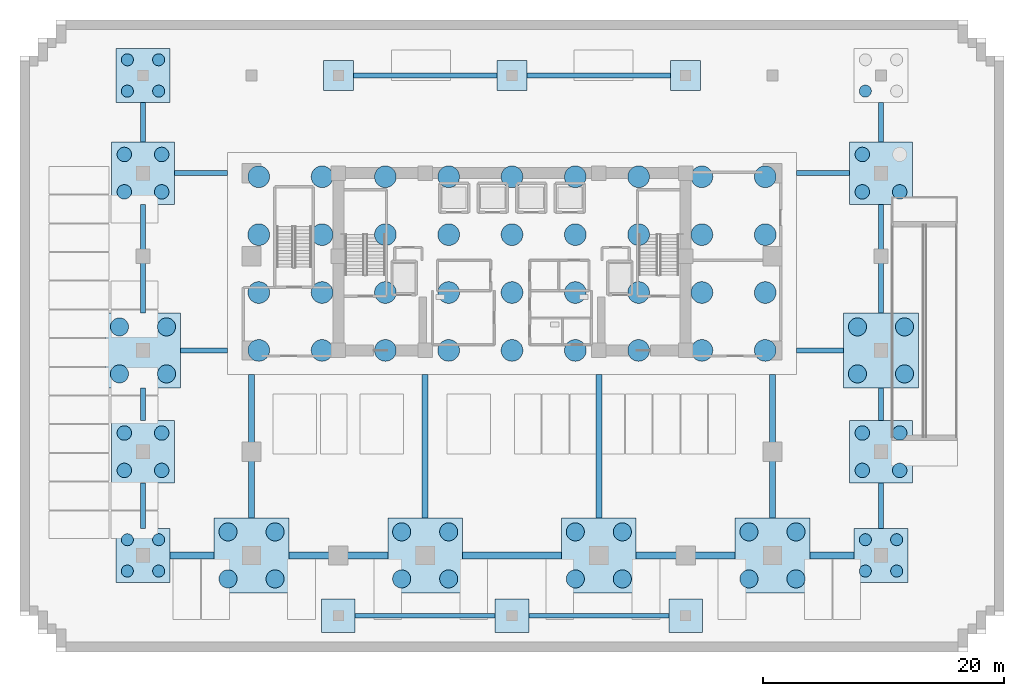
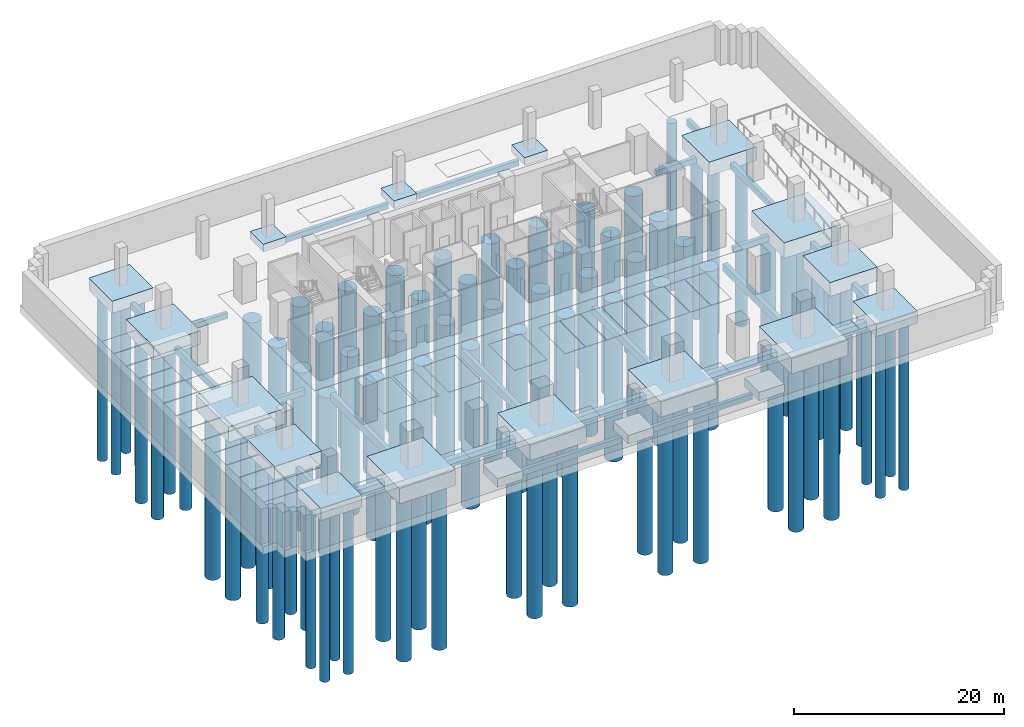
# One storey, part 1 of 13: 88 piles, 44 footings.
"""IFC4 building model written with IfcOpenShell, lengths in metres."""

from ifc_helpers import new_model, si_unit, direction, frame, origin, origin_2d, place, context, subcontext, project, spatial, rectangle, circle, extrude, source, transform, mapped, material, material_profile, profile_set, type_object, element, save


model = new_model("IFC4")

# Units and contexts
model_context = context("Model", 3, precision=1e-05, world=origin(), true_north=direction((0.0, 1.0)))
body_context = subcontext(model_context, "Body", "Model", "MODEL_VIEW")
ifc_project = project(units=[si_unit("LENGTHUNIT", "METRE"), si_unit("AREAUNIT", "SQUARE_METRE"), si_unit("VOLUMEUNIT", "CUBIC_METRE"), si_unit("PLANEANGLEUNIT", "RADIAN"), si_unit("MASSUNIT", "GRAM", prefix="KILO")], contexts=[model_context])

# Site, building, storey
site_placement = place(None, origin())
site = spatial("IfcSite", under=ifc_project, at=site_placement, CompositionType="ELEMENT")
building_placement = place(site_placement, origin())
building = spatial("IfcBuilding", under=site, at=building_placement, Name="Zarnakvel Exchange Tower", CompositionType="ELEMENT")
storey_placement = place(building_placement, frame((0.0, 0.0, -13.199951171875)))
storey = spatial("IfcBuildingStorey", under=building, at=storey_placement, Name="B03", CompositionType="ELEMENT", Elevation=-13.199951171875)

# Footings
ifc_material = material(Name="Concrete C50/60", Category="concrete")
ifc_material_profile_1 = material_profile(ifc_material, rectangle(XDim=0.60009765625, YDim=0.89990234375, at=origin_2d()))
ifc_profile_set_1 = profile_set([ifc_material_profile_1], Name="Concrete C50/60")
footing_type_1 = type_object("IfcFootingType", Name="GB-01", PredefinedType="FOOTING_BEAM", material=ifc_profile_set_1)
footing_1_placement = place(storey_placement, frame((-28.35009765625, -18.199951171875, -1.35009765625), z_axis=(1.0, 0.0, 0.0), x_axis=(0.0, 1.0, 0.0)))
element("IfcFooting", 1, at=footing_1_placement, inside=storey, type_object=footing_type_1, Name="B03 Continuous Ground Tie Beam GB-01 #1", PredefinedType="FOOTING_BEAM", context=body_context, shape_type="SweptSolid", body=[
    extrude(rectangle(XDim=0.60009765625, YDim=0.89990234375, at=origin_2d()), origin(), (0.0, 0.0, 1.0), 3.650146484375),
])
footing_2_placement = place(storey_placement, frame((-18.5, -18.199951171875, -1.35009765625), z_axis=(1.0, 0.0, 0.0), x_axis=(0.0, 1.0, 0.0)))
element("IfcFooting", 2, at=footing_2_placement, inside=storey, type_object=footing_type_1, Name="B03 Continuous Ground Tie Beam GB-01 #2", PredefinedType="FOOTING_BEAM", context=body_context, shape_type="SweptSolid", body=[
    extrude(rectangle(XDim=0.60009765625, YDim=0.89990234375, at=origin_2d()), origin(), (0.0, 0.0, 1.0), 8.199951171875),
])
footing_3_placement = place(storey_placement, frame((-4.10009765625, -18.199951171875, -1.35009765625), z_axis=(1.0, 0.0, 0.0), x_axis=(0.0, 1.0, 0.0)))
element("IfcFooting", 3, at=footing_3_placement, inside=storey, type_object=footing_type_1, Name="B03 Continuous Ground Tie Beam GB-01 #3", PredefinedType="FOOTING_BEAM", context=body_context, shape_type="SweptSolid", body=[
    extrude(rectangle(XDim=0.60009765625, YDim=0.89990234375, at=origin_2d()), origin(), (0.0, 0.0, 1.0), 8.2001953125),
])
footing_4_placement = place(storey_placement, frame((10.300048828125, -18.199951171875, -1.35009765625), z_axis=(1.0, 0.0, 0.0), x_axis=(0.0, 1.0, 0.0)))
element("IfcFooting", 4, at=footing_4_placement, inside=storey, type_object=footing_type_1, Name="B03 Continuous Ground Tie Beam GB-01 #4", PredefinedType="FOOTING_BEAM", context=body_context, shape_type="SweptSolid", body=[
    extrude(rectangle(XDim=0.60009765625, YDim=0.89990234375, at=origin_2d()), origin(), (0.0, 0.0, 1.0), 8.199951171875),
])
footing_5_placement = place(storey_placement, frame((24.699951171875, -18.199951171875, -1.35009765625), z_axis=(1.0, 0.0, 0.0), x_axis=(0.0, 1.0, 0.0)))
element("IfcFooting", 5, at=footing_5_placement, inside=storey, type_object=footing_type_1, Name="B03 Continuous Ground Tie Beam GB-01 #5", PredefinedType="FOOTING_BEAM", context=body_context, shape_type="SweptSolid", body=[
    extrude(rectangle(XDim=0.60009765625, YDim=0.89990234375, at=origin_2d()), origin(), (0.0, 0.0, 1.0), 3.650146484375),
])
ifc_material_profile_2 = material_profile(ifc_material, rectangle(XDim=0.5, YDim=0.85009765625, at=origin_2d()))
ifc_profile_set_2 = profile_set([ifc_material_profile_2], Name="Concrete C50/60")
footing_type_2 = type_object("IfcFootingType", Name="GB-02", PredefinedType="FOOTING_BEAM", material=ifc_profile_set_2)
for number, where, z_axis, x_axis, name in (
    (6, (-21.60009765625, -15.10009765625, -1.324951171875), (0.0, 1.0, 0.0), (-1.0, 0.0, 0.0), "B03 Continuous Ground Tie Beam GB-02 #6"),
    (7, (-7.199951171875, -15.10009765625, -1.324951171875), (0.0, 1.0, 0.0), (-1.0, 0.0, 0.0), "B03 Continuous Ground Tie Beam GB-02 #7"),
    (8, (7.199951171875, -15.10009765625, -1.324951171875), (0.0, 1.0, 0.0), (-1.0, 0.0, 0.0), "B03 Continuous Ground Tie Beam GB-02 #8"),
    (9, (21.60009765625, -15.10009765625, -1.324951171875), (0.0, 1.0, 0.0), (-1.0, 0.0, 0.0), "B03 Continuous Ground Tie Beam GB-02 #9"),
):
    element("IfcFooting", number, at=place(storey_placement, frame(where, z_axis=z_axis, x_axis=x_axis)), inside=storey, type_object=footing_type_2, Name=name, PredefinedType="FOOTING_BEAM", context=body_context, shape_type="SweptSolid", body=[
        extrude(rectangle(XDim=0.5, YDim=0.85009765625, at=origin_2d()), origin(), (0.0, 0.0, 1.0), 11.900146484375),
    ])
ifc_material_profile_3 = material_profile(ifc_material, rectangle(XDim=0.449951171875, YDim=0.75, at=origin_2d()))
ifc_profile_set_3 = profile_set([ifc_material_profile_3], Name="Concrete C50/60")
footing_type_3 = type_object("IfcFootingType", Name="GB-03", PredefinedType="FOOTING_BEAM", material=ifc_profile_set_3)
footing_6_placement = place(storey_placement, frame((-30.60009765625, -15.949951171875, -1.275146484375), z_axis=(0.0, 1.0, 0.0), x_axis=(-1.0, 0.0, 0.0)))
element("IfcFooting", 10, at=footing_6_placement, inside=storey, type_object=footing_type_3, Name="B03 Continuous Ground Tie Beam GB-03 #10", PredefinedType="FOOTING_BEAM", context=body_context, shape_type="SweptSolid", body=[
    extrude(rectangle(XDim=0.449951171875, YDim=0.75, at=origin_2d()), origin(), (0.0, 0.0, 1.0), 3.75),
])
footing_7_placement = place(storey_placement, frame((-30.60009765625, -7.0, -1.275146484375), z_axis=(0.0, 1.0, 0.0), x_axis=(-1.0, 0.0, 0.0)))
element("IfcFooting", 11, at=footing_7_placement, inside=storey, type_object=footing_type_3, Name="B03 Continuous Ground Tie Beam GB-03 #11", PredefinedType="FOOTING_BEAM", context=body_context, shape_type="SweptSolid", body=[
    extrude(rectangle(XDim=0.449951171875, YDim=0.75, at=origin_2d()), origin(), (0.0, 0.0, 1.0), 2.699951171875),
])
footing_8_placement = place(storey_placement, frame((-30.60009765625, 1.89990234375, -1.275146484375), z_axis=(0.0, 1.0, 0.0), x_axis=(-1.0, 0.0, 0.0)))
element("IfcFooting", 12, at=footing_8_placement, inside=storey, type_object=footing_type_3, Name="B03 Continuous Ground Tie Beam GB-03 #12", PredefinedType="FOOTING_BEAM", context=body_context, shape_type="SweptSolid", body=[
    extrude(rectangle(XDim=0.449951171875, YDim=0.75, at=origin_2d()), origin(), (0.0, 0.0, 1.0), 9.0),
])
footing_9_placement = place(storey_placement, frame((-30.60009765625, 16.10009765625, -1.275146484375), z_axis=(0.0, 1.0, 0.0), x_axis=(-1.0, 0.0, 0.0)))
element("IfcFooting", 13, at=footing_9_placement, inside=storey, type_object=footing_type_3, Name="B03 Continuous Ground Tie Beam GB-03 #13", PredefinedType="FOOTING_BEAM", context=body_context, shape_type="SweptSolid", body=[
    extrude(rectangle(XDim=0.449951171875, YDim=0.75, at=origin_2d()), origin(), (0.0, 0.0, 1.0), 3.25),
])
footing_10_placement = place(storey_placement, frame((30.60009765625, -15.949951171875, -1.275146484375), z_axis=(0.0, 1.0, 0.0), x_axis=(-1.0, 0.0, 0.0)))
element("IfcFooting", 14, at=footing_10_placement, inside=storey, type_object=footing_type_3, Name="B03 Continuous Ground Tie Beam GB-03 #14", PredefinedType="FOOTING_BEAM", context=body_context, shape_type="SweptSolid", body=[
    extrude(rectangle(XDim=0.449951171875, YDim=0.75, at=origin_2d()), origin(), (0.0, 0.0, 1.0), 3.75),
])
footing_11_placement = place(storey_placement, frame((30.60009765625, -7.0, -1.275146484375), z_axis=(0.0, 1.0, 0.0), x_axis=(-1.0, 0.0, 0.0)))
element("IfcFooting", 15, at=footing_11_placement, inside=storey, type_object=footing_type_3, Name="B03 Continuous Ground Tie Beam GB-03 #15", PredefinedType="FOOTING_BEAM", context=body_context, shape_type="SweptSolid", body=[
    extrude(rectangle(XDim=0.449951171875, YDim=0.75, at=origin_2d()), origin(), (0.0, 0.0, 1.0), 2.699951171875),
])
footing_12_placement = place(storey_placement, frame((30.60009765625, 1.89990234375, -1.275146484375), z_axis=(0.0, 1.0, 0.0), x_axis=(-1.0, 0.0, 0.0)))
element("IfcFooting", 16, at=footing_12_placement, inside=storey, type_object=footing_type_3, Name="B03 Continuous Ground Tie Beam GB-03 #16", PredefinedType="FOOTING_BEAM", context=body_context, shape_type="SweptSolid", body=[
    extrude(rectangle(XDim=0.449951171875, YDim=0.75, at=origin_2d()), origin(), (0.0, 0.0, 1.0), 9.0),
])
footing_13_placement = place(storey_placement, frame((30.60009765625, 16.10009765625, -1.275146484375), z_axis=(0.0, 1.0, 0.0), x_axis=(-1.0, 0.0, 0.0)))
element("IfcFooting", 17, at=footing_13_placement, inside=storey, type_object=footing_type_3, Name="B03 Continuous Ground Tie Beam GB-03 #17", PredefinedType="FOOTING_BEAM", context=body_context, shape_type="SweptSolid", body=[
    extrude(rectangle(XDim=0.449951171875, YDim=0.75, at=origin_2d()), origin(), (0.0, 0.0, 1.0), 3.25),
])
ifc_material_profile_4 = material_profile(ifc_material, rectangle(XDim=0.39990234375, YDim=0.64990234375, at=origin_2d()))
ifc_profile_set_4 = profile_set([ifc_material_profile_4], Name="Concrete C50/60")
footing_type_4 = type_object("IfcFootingType", Name="GB-04", PredefinedType="FOOTING_BEAM", material=ifc_profile_set_4)
for number, where, z_axis, x_axis, name in (
    (18, (-27.5, -1.199951171875, -1.22509765625), (1.0, 0.0, 0.0), (0.0, 1.0, 0.0), "B03 Continuous Ground Tie Beam GB-04 #18"),
    (19, (23.60009765625, -1.199951171875, -1.22509765625), (1.0, 0.0, 0.0), (0.0, 1.0, 0.0), "B03 Continuous Ground Tie Beam GB-04 #19"),
):
    element("IfcFooting", number, at=place(storey_placement, frame(where, z_axis=z_axis, x_axis=x_axis)), inside=storey, type_object=footing_type_4, Name=name, PredefinedType="FOOTING_BEAM", context=body_context, shape_type="SweptSolid", body=[
        extrude(rectangle(XDim=0.39990234375, YDim=0.64990234375, at=origin_2d()), origin(), (0.0, 0.0, 1.0), 3.89990234375),
    ])
for number, where, z_axis, x_axis, name in (
    (20, (-28.0, 13.5, -1.22509765625), (1.0, 0.0, 0.0), (0.0, 1.0, 0.0), "B03 Continuous Ground Tie Beam GB-04 #20"),
    (21, (23.60009765625, 13.5, -1.22509765625), (1.0, 0.0, 0.0), (0.0, 1.0, 0.0), "B03 Continuous Ground Tie Beam GB-04 #21"),
):
    element("IfcFooting", number, at=place(storey_placement, frame(where, z_axis=z_axis, x_axis=x_axis)), inside=storey, type_object=footing_type_4, Name=name, PredefinedType="FOOTING_BEAM", context=body_context, shape_type="SweptSolid", body=[
        extrude(rectangle(XDim=0.39990234375, YDim=0.64990234375, at=origin_2d()), origin(), (0.0, 0.0, 1.0), 4.39990234375),
    ])
for number, where, z_axis, x_axis, name in (
    (22, (-13.0, -23.199951171875, -1.22509765625), (1.0, 0.0, 0.0), (0.0, 1.0, 0.0), "B03 Continuous Ground Tie Beam GB-04 #22"),
    (23, (1.39990234375, -23.199951171875, -1.22509765625), (1.0, 0.0, 0.0), (0.0, 1.0, 0.0), "B03 Continuous Ground Tie Beam GB-04 #23"),
):
    element("IfcFooting", number, at=place(storey_placement, frame(where, z_axis=z_axis, x_axis=x_axis)), inside=storey, type_object=footing_type_4, Name=name, PredefinedType="FOOTING_BEAM", context=body_context, shape_type="SweptSolid", body=[
        extrude(rectangle(XDim=0.39990234375, YDim=0.64990234375, at=origin_2d()), origin(), (0.0, 0.0, 1.0), 11.60009765625),
    ])
for number, where, z_axis, x_axis, name in (
    (24, (-13.14990234375, 21.60009765625, -1.22509765625), (1.0, 0.0, 0.0), (0.0, 1.0, 0.0), "B03 Continuous Ground Tie Beam GB-04 #24"),
    (25, (1.25, 21.60009765625, -1.22509765625), (1.0, 0.0, 0.0), (0.0, 1.0, 0.0), "B03 Continuous Ground Tie Beam GB-04 #25"),
):
    element("IfcFooting", number, at=place(storey_placement, frame(where, z_axis=z_axis, x_axis=x_axis)), inside=storey, type_object=footing_type_4, Name=name, PredefinedType="FOOTING_BEAM", context=body_context, shape_type="SweptSolid", body=[
        extrude(rectangle(XDim=0.39990234375, YDim=0.64990234375, at=origin_2d()), origin(), (0.0, 0.0, 1.0), 11.89990234375),
    ])

# Piles
ifc_material_profile_5 = material_profile(ifc_material, circle(Radius=0.89990234375, at=origin_2d()))
ifc_profile_set_5 = profile_set([ifc_material_profile_5], Name="Concrete C50/60")
pile_type_1 = type_object("IfcPileType", Name="P-01", PredefinedType="BORED", material=ifc_profile_set_5)
for number, where, z_axis, x_axis, name in (
    (26, (-21.0, -1.199951171875, -2.300048828125), (0.0, 0.0, -1.0), (1.0, 0.0, 0.0), "Bored Pile PILE-RF-01 (P-01)"),
    (27, (-21.0, 3.60009765625, -2.300048828125), (0.0, 0.0, -1.0), (1.0, 0.0, 0.0), "Bored Pile PILE-RF-02 (P-01)"),
    (28, (-21.0, 8.39990234375, -2.300048828125), (0.0, 0.0, -1.0), (1.0, 0.0, 0.0), "Bored Pile PILE-RF-03 (P-01)"),
    (29, (-21.0, 13.199951171875, -2.300048828125), (0.0, 0.0, -1.0), (1.0, 0.0, 0.0), "Bored Pile PILE-RF-04 (P-01)"),
    (30, (-15.75, -1.199951171875, -2.300048828125), (0.0, 0.0, -1.0), (1.0, 0.0, 0.0), "Bored Pile PILE-RF-05 (P-01)"),
    (31, (-15.75, 3.60009765625, -2.300048828125), (0.0, 0.0, -1.0), (1.0, 0.0, 0.0), "Bored Pile PILE-RF-06 (P-01)"),
    (32, (-15.75, 8.39990234375, -2.300048828125), (0.0, 0.0, -1.0), (1.0, 0.0, 0.0), "Bored Pile PILE-RF-07 (P-01)"),
    (33, (-15.75, 13.199951171875, -2.300048828125), (0.0, 0.0, -1.0), (1.0, 0.0, 0.0), "Bored Pile PILE-RF-08 (P-01)"),
    (34, (-10.5, -1.199951171875, -2.300048828125), (0.0, 0.0, -1.0), (1.0, 0.0, 0.0), "Bored Pile PILE-RF-09 (P-01)"),
    (35, (-10.5, 3.60009765625, -2.300048828125), (0.0, 0.0, -1.0), (1.0, 0.0, 0.0), "Bored Pile PILE-RF-10 (P-01)"),
    (36, (-10.5, 8.39990234375, -2.300048828125), (0.0, 0.0, -1.0), (1.0, 0.0, 0.0), "Bored Pile PILE-RF-11 (P-01)"),
    (37, (-10.5, 13.199951171875, -2.300048828125), (0.0, 0.0, -1.0), (1.0, 0.0, 0.0), "Bored Pile PILE-RF-12 (P-01)"),
    (38, (-5.25, -1.199951171875, -2.300048828125), (0.0, 0.0, -1.0), (1.0, 0.0, 0.0), "Bored Pile PILE-RF-13 (P-01)"),
    (39, (-5.25, 3.60009765625, -2.300048828125), (0.0, 0.0, -1.0), (1.0, 0.0, 0.0), "Bored Pile PILE-RF-14 (P-01)"),
    (40, (-5.25, 8.39990234375, -2.300048828125), (0.0, 0.0, -1.0), (1.0, 0.0, 0.0), "Bored Pile PILE-RF-15 (P-01)"),
    (41, (-5.25, 13.199951171875, -2.300048828125), (0.0, 0.0, -1.0), (1.0, 0.0, 0.0), "Bored Pile PILE-RF-16 (P-01)"),
    (42, (0.0, -1.199951171875, -2.300048828125), (0.0, 0.0, -1.0), (1.0, 0.0, 0.0), "Bored Pile PILE-RF-17 (P-01)"),
    (43, (0.0, 3.60009765625, -2.300048828125), (0.0, 0.0, -1.0), (1.0, 0.0, 0.0), "Bored Pile PILE-RF-18 (P-01)"),
    (44, (0.0, 8.39990234375, -2.300048828125), (0.0, 0.0, -1.0), (1.0, 0.0, 0.0), "Bored Pile PILE-RF-19 (P-01)"),
    (45, (0.0, 13.199951171875, -2.300048828125), (0.0, 0.0, -1.0), (1.0, 0.0, 0.0), "Bored Pile PILE-RF-20 (P-01)"),
    (46, (5.25, -1.199951171875, -2.300048828125), (0.0, 0.0, -1.0), (1.0, 0.0, 0.0), "Bored Pile PILE-RF-21 (P-01)"),
    (47, (5.25, 3.60009765625, -2.300048828125), (0.0, 0.0, -1.0), (1.0, 0.0, 0.0), "Bored Pile PILE-RF-22 (P-01)"),
    (48, (5.25, 8.39990234375, -2.300048828125), (0.0, 0.0, -1.0), (1.0, 0.0, 0.0), "Bored Pile PILE-RF-23 (P-01)"),
    (49, (5.25, 13.199951171875, -2.300048828125), (0.0, 0.0, -1.0), (1.0, 0.0, 0.0), "Bored Pile PILE-RF-24 (P-01)"),
    (50, (10.5, -1.199951171875, -2.300048828125), (0.0, 0.0, -1.0), (1.0, 0.0, 0.0), "Bored Pile PILE-RF-25 (P-01)"),
    (51, (10.5, 3.60009765625, -2.300048828125), (0.0, 0.0, -1.0), (1.0, 0.0, 0.0), "Bored Pile PILE-RF-26 (P-01)"),
    (52, (10.5, 8.39990234375, -2.300048828125), (0.0, 0.0, -1.0), (1.0, 0.0, 0.0), "Bored Pile PILE-RF-27 (P-01)"),
    (53, (10.5, 13.199951171875, -2.300048828125), (0.0, 0.0, -1.0), (1.0, 0.0, 0.0), "Bored Pile PILE-RF-28 (P-01)"),
    (54, (15.75, -1.199951171875, -2.300048828125), (0.0, 0.0, -1.0), (1.0, 0.0, 0.0), "Bored Pile PILE-RF-29 (P-01)"),
    (55, (15.75, 3.60009765625, -2.300048828125), (0.0, 0.0, -1.0), (1.0, 0.0, 0.0), "Bored Pile PILE-RF-30 (P-01)"),
    (56, (15.75, 8.39990234375, -2.300048828125), (0.0, 0.0, -1.0), (1.0, 0.0, 0.0), "Bored Pile PILE-RF-31 (P-01)"),
    (57, (15.75, 13.199951171875, -2.300048828125), (0.0, 0.0, -1.0), (1.0, 0.0, 0.0), "Bored Pile PILE-RF-32 (P-01)"),
    (58, (21.0, -1.199951171875, -2.300048828125), (0.0, 0.0, -1.0), (1.0, 0.0, 0.0), "Bored Pile PILE-RF-33 (P-01)"),
    (59, (21.0, 3.60009765625, -2.300048828125), (0.0, 0.0, -1.0), (1.0, 0.0, 0.0), "Bored Pile PILE-RF-34 (P-01)"),
    (60, (21.0, 8.39990234375, -2.300048828125), (0.0, 0.0, -1.0), (1.0, 0.0, 0.0), "Bored Pile PILE-RF-35 (P-01)"),
    (61, (21.0, 13.199951171875, -2.300048828125), (0.0, 0.0, -1.0), (1.0, 0.0, 0.0), "Bored Pile PILE-RF-36 (P-01)"),
):
    element("IfcPile", number, at=place(storey_placement, frame(where, z_axis=z_axis, x_axis=x_axis)), inside=storey, type_object=pile_type_1, Name=name, PredefinedType="BORED", context=body_context, shape_type="SweptSolid", body=[
        extrude(circle(Radius=0.89990234375, at=origin_2d()), origin(), (0.0, 0.0, 1.0), 18.5),
    ])
ifc_material_profile_6 = material_profile(ifc_material, circle(Radius=0.75, at=origin_2d()))
ifc_profile_set_6 = profile_set([ifc_material_profile_6], Name="Concrete C50/60")
pile_type_2 = type_object("IfcPileType", Name="P-02", PredefinedType="BORED", material=ifc_profile_set_6)
for number, where, z_axis, x_axis, name in (
    (62, (-23.550048828125, -20.14990234375, -1.699951171875), (0.0, 0.0, -1.0), (1.0, 0.0, 0.0), "Bored Pile PILE-CAP-01-1 (P-02)"),
    (63, (-23.550048828125, -16.25, -1.699951171875), (0.0, 0.0, -1.0), (1.0, 0.0, 0.0), "Bored Pile PILE-CAP-01-2 (P-02)"),
    (64, (-19.64990234375, -20.14990234375, -1.699951171875), (0.0, 0.0, -1.0), (1.0, 0.0, 0.0), "Bored Pile PILE-CAP-01-3 (P-02)"),
    (65, (-19.64990234375, -16.25, -1.699951171875), (0.0, 0.0, -1.0), (1.0, 0.0, 0.0), "Bored Pile PILE-CAP-01-4 (P-02)"),
    (66, (-9.14990234375, -20.14990234375, -1.699951171875), (0.0, 0.0, -1.0), (1.0, 0.0, 0.0), "Bored Pile PILE-CAP-02-1 (P-02)"),
    (67, (-9.14990234375, -16.25, -1.699951171875), (0.0, 0.0, -1.0), (1.0, 0.0, 0.0), "Bored Pile PILE-CAP-02-2 (P-02)"),
    (68, (-5.25, -20.14990234375, -1.699951171875), (0.0, 0.0, -1.0), (1.0, 0.0, 0.0), "Bored Pile PILE-CAP-02-3 (P-02)"),
    (69, (-5.25, -16.25, -1.699951171875), (0.0, 0.0, -1.0), (1.0, 0.0, 0.0), "Bored Pile PILE-CAP-02-4 (P-02)"),
    (70, (5.25, -20.14990234375, -1.699951171875), (0.0, 0.0, -1.0), (1.0, 0.0, 0.0), "Bored Pile PILE-CAP-03-1 (P-02)"),
    (71, (5.25, -16.25, -1.699951171875), (0.0, 0.0, -1.0), (1.0, 0.0, 0.0), "Bored Pile PILE-CAP-03-2 (P-02)"),
    (72, (9.14990234375, -20.14990234375, -1.699951171875), (0.0, 0.0, -1.0), (1.0, 0.0, 0.0), "Bored Pile PILE-CAP-03-3 (P-02)"),
    (73, (9.14990234375, -16.25, -1.699951171875), (0.0, 0.0, -1.0), (1.0, 0.0, 0.0), "Bored Pile PILE-CAP-03-4 (P-02)"),
    (74, (19.64990234375, -20.14990234375, -1.699951171875), (0.0, 0.0, -1.0), (1.0, 0.0, 0.0), "Bored Pile PILE-CAP-04-1 (P-02)"),
    (75, (19.64990234375, -16.25, -1.699951171875), (0.0, 0.0, -1.0), (1.0, 0.0, 0.0), "Bored Pile PILE-CAP-04-2 (P-02)"),
    (76, (23.550048828125, -20.14990234375, -1.699951171875), (0.0, 0.0, -1.0), (1.0, 0.0, 0.0), "Bored Pile PILE-CAP-04-3 (P-02)"),
    (77, (23.550048828125, -16.25, -1.699951171875), (0.0, 0.0, -1.0), (1.0, 0.0, 0.0), "Bored Pile PILE-CAP-04-4 (P-02)"),
    (78, (-32.550048828125, -3.14990234375, -1.699951171875), (0.0, 0.0, -1.0), (1.0, 0.0, 0.0), "Bored Pile PILE-CAP-05-1 (P-02)"),
    (79, (-32.550048828125, 0.75, -1.699951171875), (0.0, 0.0, -1.0), (1.0, 0.0, 0.0), "Bored Pile PILE-CAP-05-2 (P-02)"),
    (80, (-28.64990234375, -3.14990234375, -1.699951171875), (0.0, 0.0, -1.0), (1.0, 0.0, 0.0), "Bored Pile PILE-CAP-05-3 (P-02)"),
    (81, (-28.64990234375, 0.75, -1.699951171875), (0.0, 0.0, -1.0), (1.0, 0.0, 0.0), "Bored Pile PILE-CAP-05-4 (P-02)"),
    (82, (28.64990234375, -3.14990234375, -1.699951171875), (0.0, 0.0, -1.0), (1.0, 0.0, 0.0), "Bored Pile PILE-CAP-06-1 (P-02)"),
    (83, (28.64990234375, 0.75, -1.699951171875), (0.0, 0.0, -1.0), (1.0, 0.0, 0.0), "Bored Pile PILE-CAP-06-2 (P-02)"),
    (84, (32.550048828125, -3.14990234375, -1.699951171875), (0.0, 0.0, -1.0), (1.0, 0.0, 0.0), "Bored Pile PILE-CAP-06-3 (P-02)"),
    (85, (32.550048828125, 0.75, -1.699951171875), (0.0, 0.0, -1.0), (1.0, 0.0, 0.0), "Bored Pile PILE-CAP-06-4 (P-02)"),
):
    element("IfcPile", number, at=place(storey_placement, frame(where, z_axis=z_axis, x_axis=x_axis)), inside=storey, type_object=pile_type_2, Name=name, PredefinedType="BORED", context=body_context, shape_type="SweptSolid", body=[
        extrude(circle(Radius=0.75, at=origin_2d()), origin(), (0.0, 0.0, 1.0), 19.10009765625),
    ])
ifc_material_profile_7 = material_profile(ifc_material, circle(Radius=0.60009765625, at=origin_2d()))
ifc_profile_set_7 = profile_set([ifc_material_profile_7], Name="Concrete C50/60")
pile_type_3 = type_object("IfcPileType", Name="P-03", PredefinedType="BORED", material=ifc_profile_set_7)
for number, where, z_axis, x_axis, name in (
    (86, (-32.14990234375, -11.14990234375, -1.5), (0.0, 0.0, -1.0), (1.0, 0.0, 0.0), "Bored Pile PILE-CAP-07-1 (P-03)"),
    (87, (-32.14990234375, -8.050048828125, -1.5), (0.0, 0.0, -1.0), (1.0, 0.0, 0.0), "Bored Pile PILE-CAP-07-2 (P-03)"),
    (88, (-29.050048828125, -11.14990234375, -1.5), (0.0, 0.0, -1.0), (1.0, 0.0, 0.0), "Bored Pile PILE-CAP-07-3 (P-03)"),
    (89, (-29.050048828125, -8.050048828125, -1.5), (0.0, 0.0, -1.0), (1.0, 0.0, 0.0), "Bored Pile PILE-CAP-07-4 (P-03)"),
    (90, (29.050048828125, -11.14990234375, -1.5), (0.0, 0.0, -1.0), (1.0, 0.0, 0.0), "Bored Pile PILE-CAP-08-1 (P-03)"),
    (91, (29.050048828125, -8.050048828125, -1.5), (0.0, 0.0, -1.0), (1.0, 0.0, 0.0), "Bored Pile PILE-CAP-08-2 (P-03)"),
    (92, (32.14990234375, -11.14990234375, -1.5), (0.0, 0.0, -1.0), (1.0, 0.0, 0.0), "Bored Pile PILE-CAP-08-3 (P-03)"),
    (93, (32.14990234375, -8.050048828125, -1.5), (0.0, 0.0, -1.0), (1.0, 0.0, 0.0), "Bored Pile PILE-CAP-08-4 (P-03)"),
    (94, (-32.14990234375, 11.949951171875, -1.5), (0.0, 0.0, -1.0), (1.0, 0.0, 0.0), "Bored Pile PILE-CAP-09-1 (P-03)"),
    (95, (-32.14990234375, 15.050048828125, -1.5), (0.0, 0.0, -1.0), (1.0, 0.0, 0.0), "Bored Pile PILE-CAP-09-2 (P-03)"),
    (96, (-29.050048828125, 11.949951171875, -1.5), (0.0, 0.0, -1.0), (1.0, 0.0, 0.0), "Bored Pile PILE-CAP-09-3 (P-03)"),
    (97, (-29.050048828125, 15.050048828125, -1.5), (0.0, 0.0, -1.0), (1.0, 0.0, 0.0), "Bored Pile PILE-CAP-09-4 (P-03)"),
    (98, (29.050048828125, 11.949951171875, -1.5), (0.0, 0.0, -1.0), (1.0, 0.0, 0.0), "Bored Pile PILE-CAP-10-1 (P-03)"),
    (99, (29.050048828125, 15.050048828125, -1.5), (0.0, 0.0, -1.0), (1.0, 0.0, 0.0), "Bored Pile PILE-CAP-10-2 (P-03)"),
    (100, (32.14990234375, 11.949951171875, -1.5), (0.0, 0.0, -1.0), (1.0, 0.0, 0.0), "Bored Pile PILE-CAP-10-3 (P-03)"),
):
    element("IfcPile", number, at=place(storey_placement, frame(where, z_axis=z_axis, x_axis=x_axis)), inside=storey, type_object=pile_type_3, Name=name, PredefinedType="BORED", context=body_context, shape_type="SweptSolid", body=[
        extrude(circle(Radius=0.60009765625, at=origin_2d()), origin(), (0.0, 0.0, 1.0), 19.300048828125),
    ])
ifc_material_profile_8 = material_profile(ifc_material, circle(Radius=0.5, at=origin_2d()))
ifc_profile_set_8 = profile_set([ifc_material_profile_8], Name="Concrete C50/60")
pile_type_4 = type_object("IfcPileType", Name="P-04", PredefinedType="BORED", material=ifc_profile_set_8)
for number, where, z_axis, x_axis, name in (
    (101, (-31.89990234375, -19.5, -1.300048828125), (0.0, 0.0, -1.0), (1.0, 0.0, 0.0), "Bored Pile PILE-CAP-11-1 (P-04)"),
    (102, (-31.89990234375, -16.89990234375, -1.300048828125), (0.0, 0.0, -1.0), (1.0, 0.0, 0.0), "Bored Pile PILE-CAP-11-2 (P-04)"),
    (103, (-29.300048828125, -19.5, -1.300048828125), (0.0, 0.0, -1.0), (1.0, 0.0, 0.0), "Bored Pile PILE-CAP-11-3 (P-04)"),
    (104, (-29.300048828125, -16.89990234375, -1.300048828125), (0.0, 0.0, -1.0), (1.0, 0.0, 0.0), "Bored Pile PILE-CAP-11-4 (P-04)"),
    (105, (29.300048828125, -19.5, -1.300048828125), (0.0, 0.0, -1.0), (1.0, 0.0, 0.0), "Bored Pile PILE-CAP-12-1 (P-04)"),
    (106, (29.300048828125, -16.89990234375, -1.300048828125), (0.0, 0.0, -1.0), (1.0, 0.0, 0.0), "Bored Pile PILE-CAP-12-2 (P-04)"),
    (107, (31.89990234375, -19.5, -1.300048828125), (0.0, 0.0, -1.0), (1.0, 0.0, 0.0), "Bored Pile PILE-CAP-12-3 (P-04)"),
    (108, (31.89990234375, -16.89990234375, -1.300048828125), (0.0, 0.0, -1.0), (1.0, 0.0, 0.0), "Bored Pile PILE-CAP-12-4 (P-04)"),
    (109, (-31.89990234375, 20.300048828125, -1.300048828125), (0.0, 0.0, -1.0), (1.0, 0.0, 0.0), "Bored Pile PILE-CAP-13-1 (P-04)"),
    (110, (-31.89990234375, 22.89990234375, -1.300048828125), (0.0, 0.0, -1.0), (1.0, 0.0, 0.0), "Bored Pile PILE-CAP-13-2 (P-04)"),
    (111, (-29.300048828125, 20.300048828125, -1.300048828125), (0.0, 0.0, -1.0), (1.0, 0.0, 0.0), "Bored Pile PILE-CAP-13-3 (P-04)"),
    (112, (-29.300048828125, 22.89990234375, -1.300048828125), (0.0, 0.0, -1.0), (1.0, 0.0, 0.0), "Bored Pile PILE-CAP-13-4 (P-04)"),
    (113, (29.300048828125, 20.300048828125, -1.300048828125), (0.0, 0.0, -1.0), (1.0, 0.0, 0.0), "Bored Pile PILE-CAP-14-1 (P-04)"),
):
    element("IfcPile", number, at=place(storey_placement, frame(where, z_axis=z_axis, x_axis=x_axis)), inside=storey, type_object=pile_type_4, Name=name, PredefinedType="BORED", context=body_context, shape_type="SweptSolid", body=[
        extrude(circle(Radius=0.5, at=origin_2d()), origin(), (0.0, 0.0, 1.0), 19.5),
    ])

# Footings
footing_type_5 = type_object("IfcFootingType", Name="PC-01", PredefinedType="PILE_CAP", material=ifc_material)
shared_shape_1 = source(origin(), body_context, "Body", "SweptSolid", [
    extrude(rectangle(XDim=6.199951171875, YDim=6.199951171875, at=origin_2d()), origin(), (0.0, 0.0, 1.0), 1.800048828125),
])
for number, where, z_axis, x_axis, name in (
    (114, (-21.60009765625, -18.199951171875, -1.80029296875), (0.0, 0.0, 1.0), (1.0, 0.0, 0.0), "B03 Pile Cap CAP-01 (PC-01)"),
    (115, (-7.199951171875, -18.199951171875, -1.80029296875), (0.0, 0.0, 1.0), (1.0, 0.0, 0.0), "B03 Pile Cap CAP-02 (PC-01)"),
    (116, (7.199951171875, -18.199951171875, -1.80029296875), (0.0, 0.0, 1.0), (1.0, 0.0, 0.0), "B03 Pile Cap CAP-03 (PC-01)"),
    (117, (21.60009765625, -18.199951171875, -1.80029296875), (0.0, 0.0, 1.0), (1.0, 0.0, 0.0), "B03 Pile Cap CAP-04 (PC-01)"),
):
    element("IfcFooting", number, at=place(storey_placement, frame(where, z_axis=z_axis, x_axis=x_axis)), inside=storey, type_object=footing_type_5, Name=name, PredefinedType="PILE_CAP", context=body_context, shape_type="MappedRepresentation", body=[
        mapped(shared_shape_1, transform((0.0, 0.0, 0.0), x_axis=(1.0, 0.0, 0.0), y_axis=(0.0, 1.0, 0.0), z_axis=(0.0, 0.0, 1.0), scale=1.0)),
    ])
footing_type_6 = type_object("IfcFootingType", Name="PC-02", PredefinedType="PILE_CAP", material=ifc_material)
for number, where, z_axis, x_axis, name in (
    (118, (-30.60009765625, -1.199951171875, -1.80029296875), (0.0, 0.0, 1.0), (1.0, 0.0, 0.0), "B03 Pile Cap CAP-05 (PC-02)"),
    (119, (30.60009765625, -1.199951171875, -1.80029296875), (0.0, 0.0, 1.0), (1.0, 0.0, 0.0), "B03 Pile Cap CAP-06 (PC-02)"),
):
    element("IfcFooting", number, at=place(storey_placement, frame(where, z_axis=z_axis, x_axis=x_axis)), inside=storey, type_object=footing_type_6, Name=name, PredefinedType="PILE_CAP", context=body_context, shape_type="MappedRepresentation", body=[
        mapped(shared_shape_1, transform((0.0, 0.0, 0.0), x_axis=(1.0, 0.0, 0.0), y_axis=(0.0, 1.0, 0.0), z_axis=(0.0, 0.0, 1.0), scale=1.0)),
    ])
footing_type_7 = type_object("IfcFootingType", Name="PC-03", PredefinedType="PILE_CAP", material=ifc_material)
shared_shape_2 = source(origin(), body_context, "Body", "SweptSolid", [
    extrude(rectangle(XDim=5.199951171875, YDim=5.199951171875, at=origin_2d()), origin(), (0.0, 0.0, 1.0), 1.60009765625),
])
for number, where, z_axis, x_axis, name in (
    (120, (-30.60009765625, -9.60009765625, -1.60009765625), (0.0, 0.0, 1.0), (1.0, 0.0, 0.0), "B03 Pile Cap CAP-07 (PC-03)"),
    (121, (30.60009765625, -9.60009765625, -1.60009765625), (0.0, 0.0, 1.0), (1.0, 0.0, 0.0), "B03 Pile Cap CAP-08 (PC-03)"),
):
    element("IfcFooting", number, at=place(storey_placement, frame(where, z_axis=z_axis, x_axis=x_axis)), inside=storey, type_object=footing_type_7, Name=name, PredefinedType="PILE_CAP", context=body_context, shape_type="MappedRepresentation", body=[
        mapped(shared_shape_2, transform((0.0, 0.0, 0.0), x_axis=(1.0, 0.0, 0.0), y_axis=(0.0, 1.0, 0.0), z_axis=(0.0, 0.0, 1.0), scale=1.0)),
    ])
footing_type_8 = type_object("IfcFootingType", Name="PC-04", PredefinedType="PILE_CAP", material=ifc_material)
for number, where, z_axis, x_axis, name in (
    (122, (-30.60009765625, 13.5, -1.60009765625), (0.0, 0.0, 1.0), (1.0, 0.0, 0.0), "B03 Pile Cap CAP-09 (PC-04)"),
    (123, (30.60009765625, 13.5, -1.60009765625), (0.0, 0.0, 1.0), (1.0, 0.0, 0.0), "B03 Pile Cap CAP-10 (PC-04)"),
):
    element("IfcFooting", number, at=place(storey_placement, frame(where, z_axis=z_axis, x_axis=x_axis)), inside=storey, type_object=footing_type_8, Name=name, PredefinedType="PILE_CAP", context=body_context, shape_type="MappedRepresentation", body=[
        mapped(shared_shape_2, transform((0.0, 0.0, 0.0), x_axis=(1.0, 0.0, 0.0), y_axis=(0.0, 1.0, 0.0), z_axis=(0.0, 0.0, 1.0), scale=1.0)),
    ])
footing_type_9 = type_object("IfcFootingType", Name="PC-05", PredefinedType="PILE_CAP", material=ifc_material)
shared_shape_3 = source(origin(), body_context, "Body", "SweptSolid", [
    extrude(rectangle(XDim=4.5, YDim=4.5, at=origin_2d()), origin(), (0.0, 0.0, 1.0), 1.39990234375),
])
for number, where, z_axis, x_axis, name in (
    (124, (-30.60009765625, -18.199951171875, -1.39990234375), (0.0, 0.0, 1.0), (1.0, 0.0, 0.0), "B03 Pile Cap CAP-11 (PC-05)"),
    (125, (30.60009765625, -18.199951171875, -1.39990234375), (0.0, 0.0, 1.0), (1.0, 0.0, 0.0), "B03 Pile Cap CAP-12 (PC-05)"),
):
    element("IfcFooting", number, at=place(storey_placement, frame(where, z_axis=z_axis, x_axis=x_axis)), inside=storey, type_object=footing_type_9, Name=name, PredefinedType="PILE_CAP", context=body_context, shape_type="MappedRepresentation", body=[
        mapped(shared_shape_3, transform((0.0, 0.0, 0.0), x_axis=(1.0, 0.0, 0.0), y_axis=(0.0, 1.0, 0.0), z_axis=(0.0, 0.0, 1.0), scale=1.0)),
    ])
footing_type_10 = type_object("IfcFootingType", Name="PC-06", PredefinedType="PILE_CAP", material=ifc_material)
footing_14_placement = place(storey_placement, frame((-30.60009765625, 21.60009765625, -1.39990234375), z_axis=(0.0, 0.0, 1.0), x_axis=(1.0, 0.0, 0.0)))
element("IfcFooting", 126, at=footing_14_placement, inside=storey, type_object=footing_type_10, Name="B03 Pile Cap CAP-13 (PC-06)", PredefinedType="PILE_CAP", context=body_context, shape_type="MappedRepresentation", body=[
    mapped(shared_shape_3, transform((0.0, 0.0, 0.0), x_axis=(1.0, 0.0, 0.0), y_axis=(0.0, 1.0, 0.0), z_axis=(0.0, 0.0, 1.0), scale=1.0)),
])
footing_type_11 = type_object("IfcFootingType", Name="PF-01", PredefinedType="PAD_FOOTING", material=ifc_material)
shared_shape_4 = source(origin(), body_context, "Body", "SweptSolid", [
    extrude(rectangle(XDim=2.800048828125, YDim=2.800048828125, at=origin_2d()), origin(), (0.0, 0.0, 1.0), 1.0),
])
for number, where, z_axis, x_axis, name in (
    (127, (0.0, -23.199951171875, -1.0), (0.0, 0.0, 1.0), (1.0, 0.0, 0.0), "B03 Pad Footing PAD-01 (PF-01)"),
    (128, (-14.39990234375, -23.199951171875, -1.0), (0.0, 0.0, 1.0), (1.0, 0.0, 0.0), "B03 Pad Footing PAD-02 (PF-01)"),
    (129, (14.39990234375, -23.199951171875, -1.0), (0.0, 0.0, 1.0), (1.0, 0.0, 0.0), "B03 Pad Footing PAD-03 (PF-01)"),
):
    element("IfcFooting", number, at=place(storey_placement, frame(where, z_axis=z_axis, x_axis=x_axis)), inside=storey, type_object=footing_type_11, Name=name, PredefinedType="PAD_FOOTING", context=body_context, shape_type="MappedRepresentation", body=[
        mapped(shared_shape_4, transform((0.0, 0.0, 0.0), x_axis=(1.0, 0.0, 0.0), y_axis=(0.0, 1.0, 0.0), z_axis=(0.0, 0.0, 1.0), scale=1.0)),
    ])
footing_type_12 = type_object("IfcFootingType", Name="PF-02", PredefinedType="PAD_FOOTING", material=ifc_material)
shared_shape_5 = source(origin(), body_context, "Body", "SweptSolid", [
    extrude(rectangle(XDim=2.5, YDim=2.5, at=origin_2d()), origin(), (0.0, 0.0, 1.0), 0.89990234375),
])
for number, where, z_axis, x_axis, name in (
    (130, (-14.39990234375, 21.60009765625, -0.89990234375), (0.0, 0.0, 1.0), (1.0, 0.0, 0.0), "B03 Pad Footing PAD-04 (PF-02)"),
    (131, (0.0, 21.60009765625, -0.89990234375), (0.0, 0.0, 1.0), (1.0, 0.0, 0.0), "B03 Pad Footing PAD-05 (PF-02)"),
    (132, (14.39990234375, 21.60009765625, -0.89990234375), (0.0, 0.0, 1.0), (1.0, 0.0, 0.0), "B03 Pad Footing PAD-06 (PF-02)"),
):
    element("IfcFooting", number, at=place(storey_placement, frame(where, z_axis=z_axis, x_axis=x_axis)), inside=storey, type_object=footing_type_12, Name=name, PredefinedType="PAD_FOOTING", context=body_context, shape_type="MappedRepresentation", body=[
        mapped(shared_shape_5, transform((0.0, 0.0, 0.0), x_axis=(1.0, 0.0, 0.0), y_axis=(0.0, 1.0, 0.0), z_axis=(0.0, 0.0, 1.0), scale=1.0)),
    ])

save(model, "model.ifc")
